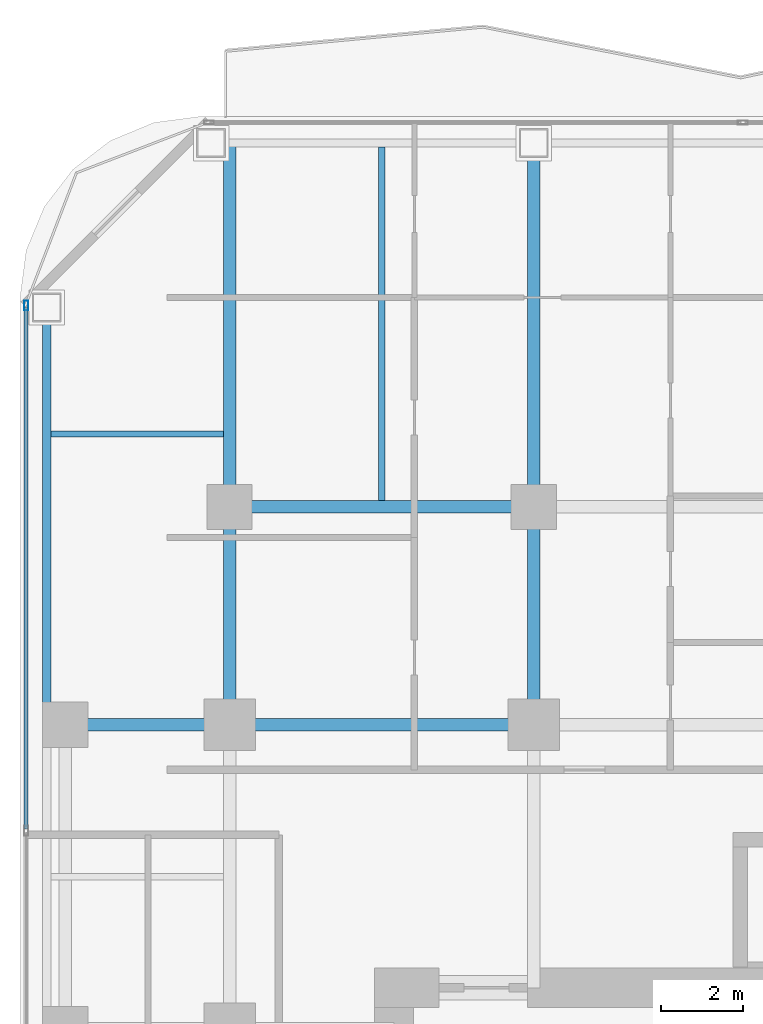
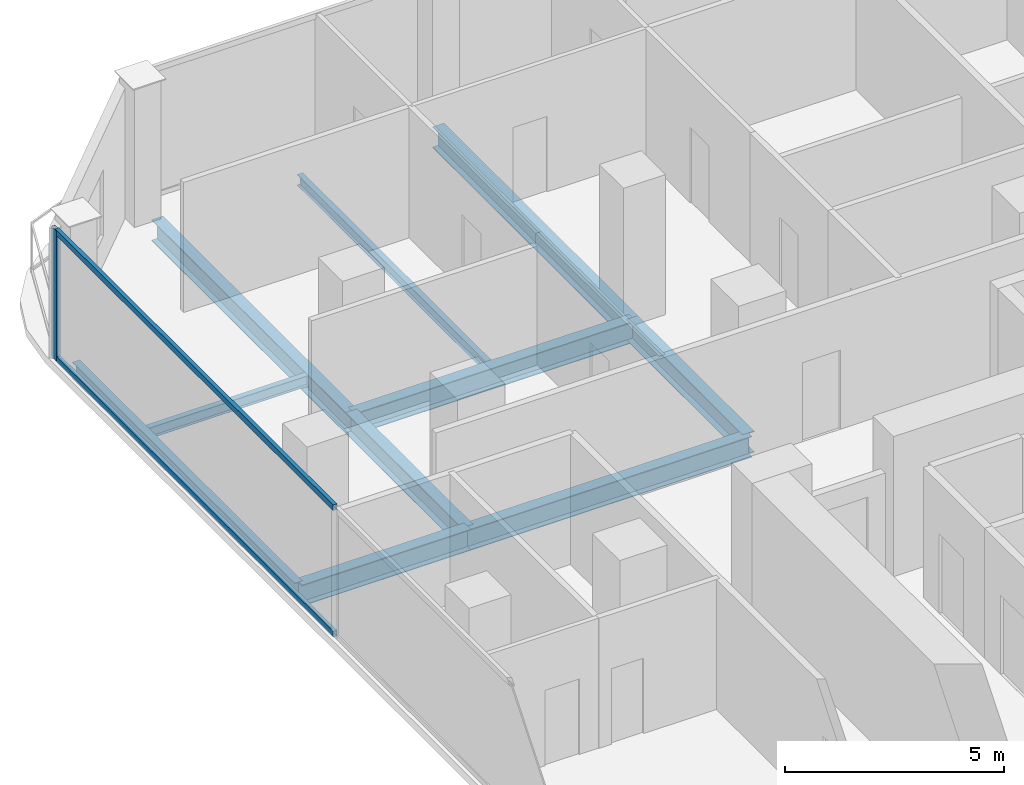
# One storey, part 12 of 27: 10 beams, 3 members, 1 element without a shape of its own.
"""IFC4 building model written with IfcOpenShell, lengths in metres."""

from ifc_helpers import new_model, si_unit, direction, frame, origin, origin_2d, place, context, subcontext, project, spatial, hollow_rectangle, i_section, extrude, material, layer, layer_set, material_profile, profile_set, type_object, element, aggregate, save


model = new_model("IFC4")

# Units and contexts
model_context = context("Model", 3, precision=1e-05, world=origin(), true_north=direction((0.0, 1.0)))
body_context = subcontext(model_context, "Body", "Model", "MODEL_VIEW")
ifc_project = project(units=[si_unit("LENGTHUNIT", "METRE"), si_unit("AREAUNIT", "SQUARE_METRE"), si_unit("VOLUMEUNIT", "CUBIC_METRE"), si_unit("PLANEANGLEUNIT", "RADIAN"), si_unit("MASSUNIT", "GRAM", prefix="KILO")], contexts=[model_context])

# Site, building, storey
site_placement = place(None, origin())
site = spatial("IfcSite", under=ifc_project, at=site_placement, CompositionType="ELEMENT")
building_placement = place(site_placement, origin())
building = spatial("IfcBuilding", under=site, at=building_placement, Name="Khorvyn Point Tower", CompositionType="ELEMENT")
storey_placement = place(building_placement, frame((0.0, 0.0, 132.89990234375)))
storey = spatial("IfcBuildingStorey", under=building, at=storey_placement, Name="L33", CompositionType="ELEMENT", Elevation=132.89990234375)

# Curtain wall, members
ifc_material_1 = material(Name="Anodised aluminium 6063-T6 and laminated Low-E glass", Category="aluminium")
ifc_layer = layer(ifc_material_1, 0.18994140625)
ifc_layer_set = layer_set([ifc_layer], Name="Stick-Built Acoustic Curtain Wall CW-SYS-03")
curtain_wall_type = type_object("IfcCurtainWallType", Name="Stick-Built Acoustic Curtain Wall CW-SYS-03", PredefinedType="NOTDEFINED", material=ifc_layer_set)
curtain_wall_placement = place(storey_placement, origin())
curtain_wall = element("IfcCurtainWall", 1, at=curtain_wall_placement, inside=storey, type_object=curtain_wall_type, Name="Curtain Wall", PredefinedType="NOTDEFINED")
ifc_material_2 = material(Name="Anodised aluminium 6063-T6", Category="aluminium")
ifc_material_profile_1 = material_profile(ifc_material_2, hollow_rectangle(XDim=0.10009765625, YDim=0.239990234375, WallThickness=0.0048828125, at=origin_2d()))
ifc_profile_set_1 = profile_set([ifc_material_profile_1], Name="Anodised aluminium 6063-T6 ALU-MUL-100x240")
member_type_1 = type_object("IfcMemberType", Name="Anodised Aluminium 6063-T6 Mullion ALU-MUL-100x240", PredefinedType="MULLION", material=ifc_profile_set_1)
member_1_placement = place(storey_placement, frame((-19.75, 25.0, 0.0), z_axis=(0.0, 0.0, 1.0), x_axis=(-1.0, 0.0, 0.0)))
member_1 = element("IfcMember", 2, at=member_1_placement, type_object=member_type_1, Name="Transom", PredefinedType="MULLION", context=body_context, shape_type="SweptSolid", body=[
    extrude(hollow_rectangle(XDim=0.10009765625, YDim=0.239990234375, WallThickness=0.0048828125, at=origin_2d()), origin(), (0.0, 0.0, 1.0), 3.6201171875),
])
ifc_material_profile_2 = material_profile(ifc_material_2, hollow_rectangle(XDim=0.10009765625, YDim=0.159912109375, WallThickness=0.00439453125, at=origin_2d()))
ifc_profile_set_2 = profile_set([ifc_material_profile_2], Name="Anodised aluminium 6063-T6 ALU-TRN-100x160")
member_type_2 = type_object("IfcMemberType", Name="Anodised Aluminium 6063-T6 Transom ALU-TRN-100x160", PredefinedType="USERDEFINED", material=ifc_profile_set_2)
member_2_placement = place(storey_placement, frame((-19.75, 12.2666015625, 0.050048828125), z_axis=(0.0, 1.0, 0.0), x_axis=(-1.0, 0.0, 0.0)))
member_2 = element("IfcMember", 3, at=member_2_placement, type_object=member_type_2, Name="Transom", ObjectType="TRANSOM", PredefinedType="USERDEFINED", context=body_context, shape_type="SweptSolid", body=[
    extrude(hollow_rectangle(XDim=0.10009765625, YDim=0.159912109375, WallThickness=0.00439453125, at=origin_2d()), origin(), (0.0, 0.0, 1.0), 12.683349609375),
])
member_3_placement = place(storey_placement, frame((-19.75, 12.2666015625, 3.570068359375), z_axis=(0.0, 1.0, 0.0), x_axis=(-1.0, 0.0, 0.0)))
member_3 = element("IfcMember", 4, at=member_3_placement, type_object=member_type_2, Name="Transom", ObjectType="TRANSOM", PredefinedType="USERDEFINED", context=body_context, shape_type="SweptSolid", body=[
    extrude(hollow_rectangle(XDim=0.10009765625, YDim=0.159912109375, WallThickness=0.00439453125, at=origin_2d()), origin(), (0.0, 0.0, 1.0), 12.683349609375),
])
aggregate(curtain_wall, [member_1, member_2, member_3])

# Beams
ifc_material_3 = material(Name="Steel S355", Category="steel")
ifc_material_profile_3 = material_profile(ifc_material_3, i_section(OverallWidth=0.300048828125, OverallDepth=0.587890625, WebThickness=0.011962890625, FlangeThickness=0.02001953125, at=origin_2d()))
ifc_profile_set_3 = profile_set([ifc_material_profile_3], Name="Steel S355 H588x300x12x20")
beam_type_1 = type_object("IfcBeamType", Name="Steel S355 Beam H588x300x12x20", PredefinedType="BEAM", material=ifc_profile_set_3)
beam_1_placement = place(storey_placement, frame((-19.25, 14.800048828125, -0.513916015625), z_axis=(1.0, 0.0, 0.0), x_axis=(0.0, 1.0, 0.0)))
element("IfcBeam", 5, at=beam_1_placement, inside=storey, type_object=beam_type_1, Name="Beam", PredefinedType="BEAM", context=body_context, shape_type="SweptSolid", body=[
    extrude(i_section(OverallWidth=0.300048828125, OverallDepth=0.587890625, WebThickness=0.011962890625, FlangeThickness=0.02001953125, at=origin_2d()), origin(), (0.0, 0.0, 1.0), 4.449951171875),
])
for number, where, z_axis, x_axis, name in (
    (6, (-14.800048828125, 14.800048828125, -0.513916015625), (1.0, 0.0, 0.0), (0.0, 1.0, 0.0), "Beam"),
    (7, (-14.800048828125, 20.10009765625, -0.513916015625), (1.0, 0.0, 0.0), (0.0, 1.0, 0.0), "Beam"),
):
    element("IfcBeam", number, at=place(storey_placement, frame(where, z_axis=z_axis, x_axis=x_axis)), inside=storey, type_object=beam_type_1, Name=name, PredefinedType="BEAM", context=body_context, shape_type="SweptSolid", body=[
        extrude(i_section(OverallWidth=0.300048828125, OverallDepth=0.587890625, WebThickness=0.011962890625, FlangeThickness=0.02001953125, at=origin_2d()), origin(), (0.0, 0.0, 1.0), 7.400146484375),
    ])
beam_2_placement = place(storey_placement, frame((-14.800048828125, 14.800048828125, -0.513916015625), z_axis=(0.0, 1.0, 0.0), x_axis=(-1.0, 0.0, 0.0)))
element("IfcBeam", 8, at=beam_2_placement, inside=storey, type_object=beam_type_1, Name="Beam", PredefinedType="BEAM", context=body_context, shape_type="SweptSolid", body=[
    extrude(i_section(OverallWidth=0.300048828125, OverallDepth=0.587890625, WebThickness=0.011962890625, FlangeThickness=0.02001953125, at=origin_2d()), origin(), (0.0, 0.0, 1.0), 5.300048828125),
])
beam_3_placement = place(storey_placement, frame((-14.800048828125, 20.10009765625, -0.513916015625), z_axis=(0.0, 1.0, 0.0), x_axis=(-1.0, 0.0, 0.0)))
element("IfcBeam", 9, at=beam_3_placement, inside=storey, type_object=beam_type_1, Name="Beam", PredefinedType="BEAM", context=body_context, shape_type="SweptSolid", body=[
    extrude(i_section(OverallWidth=0.300048828125, OverallDepth=0.587890625, WebThickness=0.011962890625, FlangeThickness=0.02001953125, at=origin_2d()), origin(), (0.0, 0.0, 1.0), 8.849853515625),
])
beam_4_placement = place(storey_placement, frame((-7.39990234375, 14.800048828125, -0.513916015625), z_axis=(0.0, 1.0, 0.0), x_axis=(-1.0, 0.0, 0.0)))
element("IfcBeam", 10, at=beam_4_placement, inside=storey, type_object=beam_type_1, Name="Beam", PredefinedType="BEAM", context=body_context, shape_type="SweptSolid", body=[
    extrude(i_section(OverallWidth=0.300048828125, OverallDepth=0.587890625, WebThickness=0.011962890625, FlangeThickness=0.02001953125, at=origin_2d()), origin(), (0.0, 0.0, 1.0), 5.300048828125),
])
beam_5_placement = place(storey_placement, frame((-7.39990234375, 20.10009765625, -0.513916015625), z_axis=(0.0, 1.0, 0.0), x_axis=(-1.0, 0.0, 0.0)))
element("IfcBeam", 11, at=beam_5_placement, inside=storey, type_object=beam_type_1, Name="Beam", PredefinedType="BEAM", context=body_context, shape_type="SweptSolid", body=[
    extrude(i_section(OverallWidth=0.300048828125, OverallDepth=0.587890625, WebThickness=0.011962890625, FlangeThickness=0.02001953125, at=origin_2d()), origin(), (0.0, 0.0, 1.0), 8.849853515625),
])
ifc_material_profile_4 = material_profile(ifc_material_3, i_section(OverallWidth=0.14990234375, OverallDepth=0.300048828125, WebThickness=0.006591796875, FlangeThickness=0.009033203125, at=origin_2d()))
ifc_profile_set_4 = profile_set([ifc_material_profile_4], Name="Steel S355 H300x150x6.5x9")
beam_type_2 = type_object("IfcBeamType", Name="Steel S355 Joist H300x150x6.5x9", PredefinedType="JOIST", material=ifc_profile_set_4)
beam_6_placement = place(storey_placement, frame((-11.10009765625, 20.25, -0.369873046875), z_axis=(0.0, 1.0, 0.0), x_axis=(-1.0, 0.0, 0.0)))
element("IfcBeam", 12, at=beam_6_placement, inside=storey, type_object=beam_type_2, Name="Beam", PredefinedType="JOIST", context=body_context, shape_type="SweptSolid", body=[
    extrude(i_section(OverallWidth=0.14990234375, OverallDepth=0.300048828125, WebThickness=0.006591796875, FlangeThickness=0.009033203125, at=origin_2d()), origin(), (0.0, 0.0, 1.0), 8.60009765625),
])
beam_7_placement = place(storey_placement, frame((-19.14990234375, 21.875, -0.369873046875), z_axis=(1.0, 0.0, 0.0), x_axis=(0.0, 1.0, 0.0)))
element("IfcBeam", 13, at=beam_7_placement, inside=storey, type_object=beam_type_2, Name="Beam", PredefinedType="JOIST", context=body_context, shape_type="SweptSolid", body=[
    extrude(i_section(OverallWidth=0.14990234375, OverallDepth=0.300048828125, WebThickness=0.006591796875, FlangeThickness=0.009033203125, at=origin_2d()), origin(), (0.0, 0.0, 1.0), 4.199951171875),
])
ifc_material_profile_5 = material_profile(ifc_material_3, i_section(OverallWidth=0.199951171875, OverallDepth=0.449951171875, WebThickness=0.009033203125, FlangeThickness=0.013916015625, at=origin_2d()))
ifc_profile_set_5 = profile_set([ifc_material_profile_5], Name="Steel S355 H450x200x9x14")
beam_type_3 = type_object("IfcBeamType", Name="Steel S355 Spandrel H450x200x9x14", PredefinedType="SPANDREL", material=ifc_profile_set_5)
beam_8_placement = place(storey_placement, frame((-19.25, 14.800048828125, -0.44482421875), z_axis=(0.0, 1.0, 0.0), x_axis=(-1.0, 0.0, 0.0)))
element("IfcBeam", 14, at=beam_8_placement, inside=storey, type_object=beam_type_3, Name="Beam", PredefinedType="SPANDREL", context=body_context, shape_type="SweptSolid", body=[
    extrude(i_section(OverallWidth=0.199951171875, OverallDepth=0.449951171875, WebThickness=0.009033203125, FlangeThickness=0.013916015625, at=origin_2d()), origin(), (0.0, 0.0, 1.0), 10.14990234375),
])

save(model, "model.ifc")
